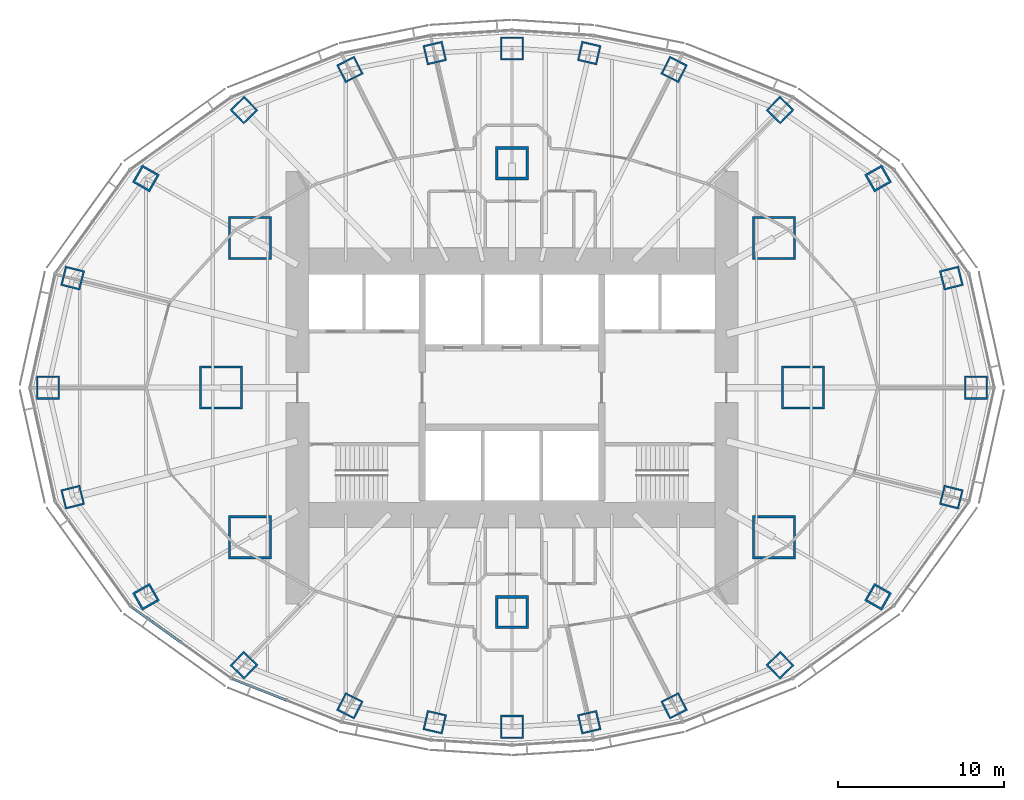
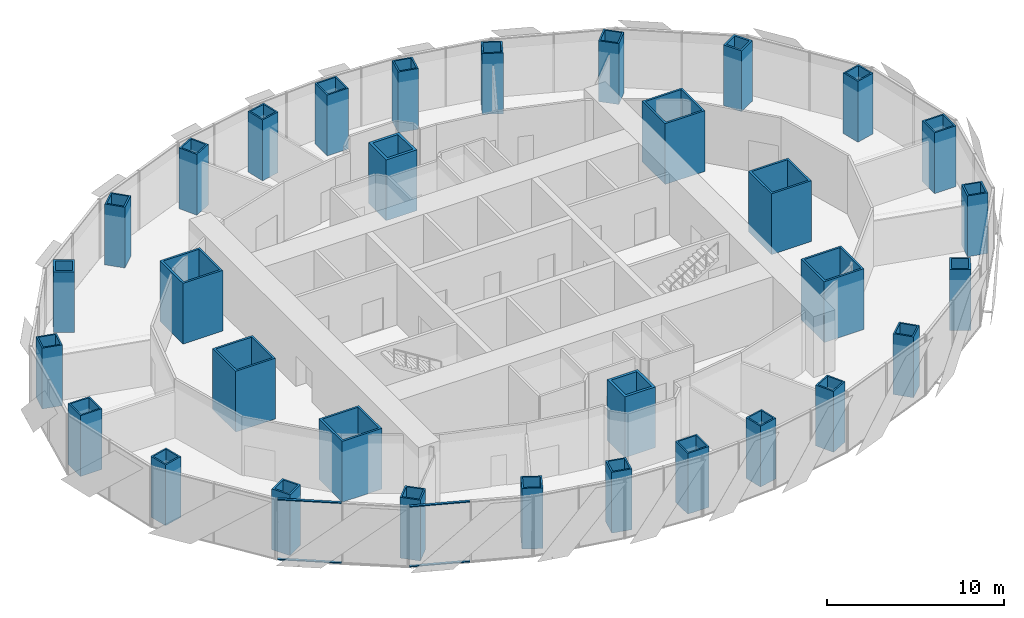
# One storey, part 1 of 18: 32 columns, 4 members, 2 elements without a shape of their own.
"""IFC4 building model written with IfcOpenShell, lengths in metres."""

from ifc_helpers import new_model, si_unit, direction, frame, origin, origin_2d, place, context, subcontext, project, spatial, rectangle, hollow_rectangle, extrude, material, material_profile, profile_set, type_object, element, aggregate, save


model = new_model("IFC4")

# Units and contexts
model_context = context("Model", 3, precision=1e-05, world=origin(), true_north=direction((0.0, 1.0)))
body_context = subcontext(model_context, "Body", "Model", "MODEL_VIEW")
ifc_project = project(units=[si_unit("LENGTHUNIT", "METRE"), si_unit("AREAUNIT", "SQUARE_METRE"), si_unit("VOLUMEUNIT", "CUBIC_METRE"), si_unit("PLANEANGLEUNIT", "RADIAN"), si_unit("MASSUNIT", "GRAM", prefix="KILO")], contexts=[model_context])

# Site, building, storey
site_placement = place(None, origin())
site = spatial("IfcSite", under=ifc_project, at=site_placement, CompositionType="ELEMENT")
building_placement = place(site_placement, origin())
building = spatial("IfcBuilding", under=site, at=building_placement, Name="Lantaw Convention Tower", CompositionType="ELEMENT")
storey_placement = place(building_placement, frame((0.0, 0.0, 172.0)))
storey = spatial("IfcBuildingStorey", under=building, at=storey_placement, Name="L40", CompositionType="ELEMENT", Elevation=172.0)

# Columns
ifc_material_1 = material(Name="Steel EN 10025-3 S460N", Category="steel")
ifc_material_profile_1 = material_profile(ifc_material_1, hollow_rectangle(XDim=2.0, YDim=2.0, WallThickness=0.169921875, at=origin_2d()), Name="BOX2000X170")
ifc_material_2 = material(Name="Concrete C60/75", Category="concrete")
ifc_material_profile_2 = material_profile(ifc_material_2, rectangle(XDim=1.659912109375, YDim=1.659912109375, at=origin_2d()), Name="Concrete fill of BOX2000X170")
ifc_profile_set_1 = profile_set([ifc_material_profile_1, ifc_material_profile_2], Name="Steel EN 10025-3 S460N")
column_type_1 = type_object("IfcColumnType", Name="Column MC BOX2000X170", PredefinedType="COLUMN", material=ifc_profile_set_1)
for number, where, z_axis, x_axis, name in (
    (1, (0.0, 13.5, 0.0), (0.0, 0.0, 1.0), (1.0, 0.0, 0.0), "Mega column M3"),
    (2, (0.0, -13.5, 0.0), (0.0, 0.0, 1.0), (1.0, 0.0, 0.0), "Mega column M7"),
):
    element("IfcColumn", number, at=place(storey_placement, frame(where, z_axis=z_axis, x_axis=x_axis)), inside=storey, type_object=column_type_1, Name=name, PredefinedType="COLUMN", context=body_context, shape_type="SweptSolid", body=[
        extrude(hollow_rectangle(XDim=2.0, YDim=2.0, WallThickness=0.169921875, at=origin_2d()), origin(), (0.0, 0.0, 1.0), 4.199951171875),
    ])
ifc_material_profile_3 = material_profile(ifc_material_1, hollow_rectangle(XDim=2.60009765625, YDim=2.60009765625, WallThickness=0.1298828125, at=origin_2d()), Name="BOX2600X130")
ifc_material_profile_4 = material_profile(ifc_material_2, rectangle(XDim=2.340087890625, YDim=2.340087890625, at=origin_2d()), Name="Concrete fill of BOX2600X130")
ifc_profile_set_2 = profile_set([ifc_material_profile_3, ifc_material_profile_4], Name="Steel EN 10025-3 S460N")
column_type_2 = type_object("IfcColumnType", Name="Column MC BOX2600X130", PredefinedType="COLUMN", material=ifc_profile_set_2)
for number, where, z_axis, x_axis, name in (
    (3, (17.5, 0.0, 0.0), (0.0, 0.0, 1.0), (1.0, 0.0, 0.0), "Mega column M1"),
    (4, (15.75, 9.0, 0.0), (0.0, 0.0, 1.0), (1.0, 0.0, 0.0), "Mega column M2"),
    (5, (-15.75, 9.0, 0.0), (0.0, 0.0, 1.0), (1.0, 0.0, 0.0), "Mega column M4"),
    (6, (-17.5, 0.0, 0.0), (0.0, 0.0, 1.0), (1.0, 0.0, 0.0), "Mega column M5"),
    (7, (-15.75, -9.0, 0.0), (0.0, 0.0, 1.0), (1.0, 0.0, 0.0), "Mega column M6"),
    (8, (15.75, -9.0, 0.0), (0.0, 0.0, 1.0), (1.0, 0.0, 0.0), "Mega column M8"),
):
    element("IfcColumn", number, at=place(storey_placement, frame(where, z_axis=z_axis, x_axis=x_axis)), inside=storey, type_object=column_type_2, Name=name, PredefinedType="COLUMN", context=body_context, shape_type="SweptSolid", body=[
        extrude(hollow_rectangle(XDim=2.60009765625, YDim=2.60009765625, WallThickness=0.1298828125, at=origin_2d()), origin(), (0.0, 0.0, 1.0), 4.199951171875),
    ])
ifc_material_profile_5 = material_profile(ifc_material_1, hollow_rectangle(XDim=1.199951171875, YDim=1.199951171875, WallThickness=0.10009765625, at=origin_2d()), Name="BOX1200X100")
ifc_material_profile_6 = material_profile(ifc_material_2, rectangle(XDim=1.0, YDim=1.0, at=origin_2d()), Name="Concrete fill of BOX1200X100")
ifc_profile_set_3 = profile_set([ifc_material_profile_5, ifc_material_profile_6], Name="Steel EN 10025-3 S460N")
column_type_3 = type_object("IfcColumnType", Name="Column PC BOX1200X100", PredefinedType="COLUMN", material=ifc_profile_set_3)
for number, where, z_axis, x_axis, name in (
    (9, (26.419921875, 6.587158203125, 0.0), (0.0, 0.0, 1.0), (0.970295726276, 0.2419218956, 0.0), "Perimeter column P2"),
    (10, (16.11767578125, 16.690185546875, 0.0), (0.0, 0.0, 1.0), (0.694658370459, 0.719339800339, 0.0), "Perimeter column P4"),
    (11, (9.74853515625, 19.1328125, 0.0), (0.0, 0.0, 1.0), (0.45399049974, 0.891006524188, 0.0), "Perimeter column P5"),
    (12, (4.64501953125, 20.1201171875, 0.0), (0.0, 0.0, 1.0), (0.224951054344, 0.974370064785, 0.0), "Perimeter column P6"),
    (13, (-4.64501953125, 20.1201171875, 0.0), (0.0, 0.0, 1.0), (0.974370064785, 0.224951054344, 0.0), "Perimeter column P8"),
    (14, (-9.74853515625, 19.1328125, 0.0), (0.0, 0.0, 1.0), (0.891006524188, 0.45399049974, 0.0), "Perimeter column P9"),
    (15, (-16.11767578125, 16.690185546875, 0.0), (0.0, 0.0, 1.0), (0.719339800339, 0.694658370459, 0.0), "Perimeter column P10"),
    (16, (-26.419921875, 6.587158203125, 0.0), (0.0, 0.0, 1.0), (0.2419218956, 0.970295726276, 0.0), "Perimeter column P12"),
    (17, (-26.419921875, -6.587158203125, 0.0), (0.0, 0.0, 1.0), (0.970295726276, 0.2419218956, 0.0), "Perimeter column P14"),
    (18, (-16.11767578125, -16.690185546875, 0.0), (0.0, 0.0, 1.0), (0.694658370459, 0.719339800339, 0.0), "Perimeter column P16"),
    (19, (-9.74853515625, -19.1328125, 0.0), (0.0, 0.0, 1.0), (0.45399049974, 0.891006524188, 0.0), "Perimeter column P17"),
    (20, (-4.64501953125, -20.1201171875, 0.0), (0.0, 0.0, 1.0), (0.224951054344, 0.974370064785, 0.0), "Perimeter column P18"),
    (21, (4.64501953125, -20.1201171875, 0.0), (0.0, 0.0, 1.0), (0.974370064785, 0.224951054344, 0.0), "Perimeter column P20"),
    (22, (9.74853515625, -19.1328125, 0.0), (0.0, 0.0, 1.0), (0.891006524188, 0.45399049974, 0.0), "Perimeter column P21"),
    (23, (16.11767578125, -16.690185546875, 0.0), (0.0, 0.0, 1.0), (0.719339800339, 0.694658370459, 0.0), "Perimeter column P22"),
    (24, (26.419921875, -6.587158203125, 0.0), (0.0, 0.0, 1.0), (0.2419218956, 0.970295726276, 0.0), "Perimeter column P24"),
):
    element("IfcColumn", number, at=place(storey_placement, frame(where, z_axis=z_axis, x_axis=x_axis)), inside=storey, type_object=column_type_3, Name=name, PredefinedType="COLUMN", context=body_context, shape_type="SweptSolid", body=[
        extrude(hollow_rectangle(XDim=1.199951171875, YDim=1.199951171875, WallThickness=0.10009765625, at=origin_2d()), origin(), (0.0, 0.0, 1.0), 4.199951171875),
    ])
ifc_material_profile_7 = material_profile(ifc_material_1, hollow_rectangle(XDim=1.199951171875, YDim=1.199951171875, WallThickness=0.1201171875, at=origin_2d()), Name="BOX1200X120")
ifc_material_profile_8 = material_profile(ifc_material_2, rectangle(XDim=0.9599609375, YDim=0.9599609375, at=origin_2d()), Name="Concrete fill of BOX1200X120")
ifc_profile_set_4 = profile_set([ifc_material_profile_7, ifc_material_profile_8], Name="Steel EN 10025-3 S460N")
column_type_4 = type_object("IfcColumnType", Name="Column PC BOX1200X120", PredefinedType="COLUMN", material=ifc_profile_set_4)
for number, where, z_axis, x_axis, name in (
    (25, (22.013916015625, 12.579345703125, 0.0), (0.0, 0.0, 1.0), (0.86824298017, 0.496139221777, 0.0), "Perimeter column P3"),
    (26, (-22.013916015625, 12.579345703125, 0.0), (0.0, 0.0, 1.0), (0.496139221777, 0.86824298017, 0.0), "Perimeter column P11"),
    (27, (-22.013916015625, -12.579345703125, 0.0), (0.0, 0.0, 1.0), (0.86824298017, 0.496139221777, 0.0), "Perimeter column P15"),
    (28, (22.013916015625, -12.579345703125, 0.0), (0.0, 0.0, 1.0), (0.496139221777, 0.86824298017, 0.0), "Perimeter column P23"),
):
    element("IfcColumn", number, at=place(storey_placement, frame(where, z_axis=z_axis, x_axis=x_axis)), inside=storey, type_object=column_type_4, Name=name, PredefinedType="COLUMN", context=body_context, shape_type="SweptSolid", body=[
        extrude(hollow_rectangle(XDim=1.199951171875, YDim=1.199951171875, WallThickness=0.1201171875, at=origin_2d()), origin(), (0.0, 0.0, 1.0), 4.199951171875),
    ])
ifc_material_profile_9 = material_profile(ifc_material_1, hollow_rectangle(XDim=1.39990234375, YDim=1.39990234375, WallThickness=0.10009765625, at=origin_2d()), Name="BOX1400X100")
ifc_material_profile_10 = material_profile(ifc_material_2, rectangle(XDim=1.199951171875, YDim=1.199951171875, at=origin_2d()), Name="Concrete fill of BOX1400X100")
ifc_profile_set_5 = profile_set([ifc_material_profile_9, ifc_material_profile_10], Name="Steel EN 10025-3 S460N")
column_type_5 = type_object("IfcColumnType", Name="Column PC BOX1400X100", PredefinedType="COLUMN", material=ifc_profile_set_5)
for number, where, z_axis, x_axis, name in (
    (29, (27.89990234375, 0.0, 0.0), (0.0, 0.0, 1.0), (1.0, 0.0, 0.0), "Perimeter column P1"),
    (30, (0.0, 20.39990234375, 0.0), (0.0, 0.0, 1.0), (1.0, 0.0, 0.0), "Perimeter column P7"),
    (31, (-27.89990234375, 0.0, 0.0), (0.0, 0.0, 1.0), (1.0, 0.0, 0.0), "Perimeter column P13"),
    (32, (0.0, -20.39990234375, 0.0), (0.0, 0.0, 1.0), (1.0, 0.0, 0.0), "Perimeter column P19"),
):
    element("IfcColumn", number, at=place(storey_placement, frame(where, z_axis=z_axis, x_axis=x_axis)), inside=storey, type_object=column_type_5, Name=name, PredefinedType="COLUMN", context=body_context, shape_type="SweptSolid", body=[
        extrude(hollow_rectangle(XDim=1.39990234375, YDim=1.39990234375, WallThickness=0.10009765625, at=origin_2d()), origin(), (0.0, 0.0, 1.0), 4.199951171875),
    ])

# Curtain wall, members
ifc_material_3 = material(Name="Aluminium framed curtain wall", Category="aluminium")
curtain_wall_type = type_object("IfcCurtainWallType", Name="Office curtain wall low rise, pale aluminium", PredefinedType="USERDEFINED", material=ifc_material_3)
curtain_wall_1_placement = place(storey_placement, origin())
curtain_wall_1 = element("IfcCurtainWall", 33, at=curtain_wall_1_placement, inside=storey, type_object=curtain_wall_type, Name="Office curtain wall low rise, pale aluminium L40", ObjectType="UNITISED CURTAIN WALL", PredefinedType="USERDEFINED")
ifc_material_4 = material(Name="Aluminium 6063-T6", Category="aluminium")
ifc_material_profile_11 = material_profile(ifc_material_4, rectangle(XDim=0.159912109375, YDim=0.06494140625, at=origin_2d()), Name="CW-O1 transom 65x160")
ifc_profile_set_6 = profile_set([ifc_material_profile_11], Name="Aluminium 6063-T6")
member_type = type_object("IfcMemberType", Name="CW-O1 transom 65x160", PredefinedType="USERDEFINED", material=ifc_profile_set_6)
member_1_placement = place(storey_placement, frame((-22.916259765625, -13.1630859375, -0.117431640625), z_axis=(0.813221785972, -0.581953887194, 0.0), x_axis=(0.581953887194, 0.813221785972, 0.0)))
member_1 = element("IfcMember", 34, at=member_1_placement, type_object=member_type, Name="CW-O1 transom 1.1", ObjectType="TRANSOM", PredefinedType="USERDEFINED", context=body_context, shape_type="SweptSolid", body=[
    extrude(rectangle(XDim=0.159912109375, YDim=0.06494140625, at=origin_2d()), origin(), (0.0, 0.0, 1.0), 3.645263671875),
])
member_2_placement = place(storey_placement, frame((-22.916259765625, -13.1630859375, 4.017578125), z_axis=(0.813221785972, -0.581953887194, 0.0), x_axis=(0.581953887194, 0.813221785972, 0.0)))
member_2 = element("IfcMember", 35, at=member_2_placement, type_object=member_type, Name="CW-O1 transom 1.2", ObjectType="TRANSOM", PredefinedType="USERDEFINED", context=body_context, shape_type="SweptSolid", body=[
    extrude(rectangle(XDim=0.159912109375, YDim=0.06494140625, at=origin_2d()), origin(), (0.0, 0.0, 1.0), 3.645263671875),
])
aggregate(curtain_wall_1, [member_1, member_2])

curtain_wall_2_placement = place(storey_placement, origin())
curtain_wall_2 = element("IfcCurtainWall", 36, at=curtain_wall_2_placement, inside=storey, type_object=curtain_wall_type, Name="Office curtain wall low rise, pale aluminium L40", ObjectType="UNITISED CURTAIN WALL", PredefinedType="USERDEFINED")
member_3_placement = place(storey_placement, frame((-16.8212890625, -17.505615234375, -0.117431640625), z_axis=(0.929564188507, -0.368660303592, 0.0), x_axis=(0.368660303592, 0.929564188507, 0.0)))
member_3 = element("IfcMember", 37, at=member_3_placement, type_object=member_type, Name="CW-O1 transom 1.1", ObjectType="TRANSOM", PredefinedType="USERDEFINED", context=body_context, shape_type="SweptSolid", body=[
    extrude(rectangle(XDim=0.159912109375, YDim=0.06494140625, at=origin_2d()), origin(), (0.0, 0.0, 1.0), 3.470703125),
])
member_4_placement = place(storey_placement, frame((-16.8212890625, -17.505615234375, 4.017578125), z_axis=(0.929564188507, -0.368660303592, 0.0), x_axis=(0.368660303592, 0.929564188507, 0.0)))
member_4 = element("IfcMember", 38, at=member_4_placement, type_object=member_type, Name="CW-O1 transom 1.2", ObjectType="TRANSOM", PredefinedType="USERDEFINED", context=body_context, shape_type="SweptSolid", body=[
    extrude(rectangle(XDim=0.159912109375, YDim=0.06494140625, at=origin_2d()), origin(), (0.0, 0.0, 1.0), 3.470703125),
])
aggregate(curtain_wall_2, [member_3, member_4])

save(model, "model.ifc")
